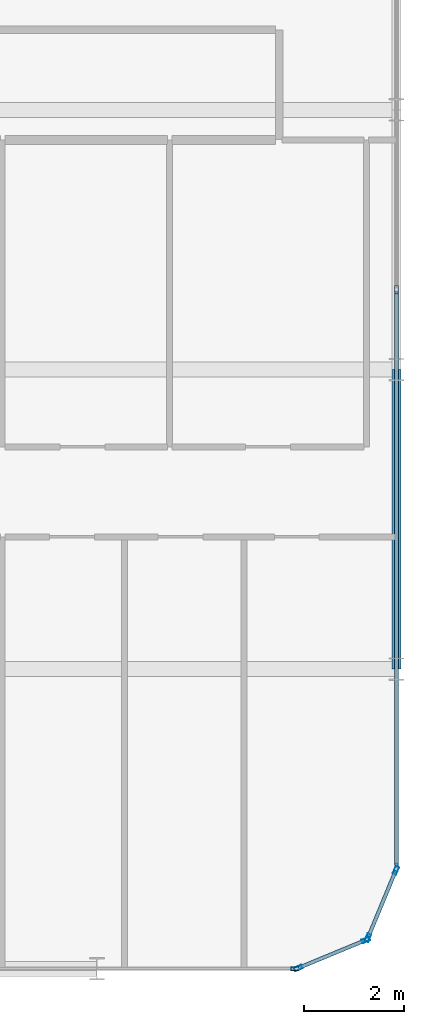
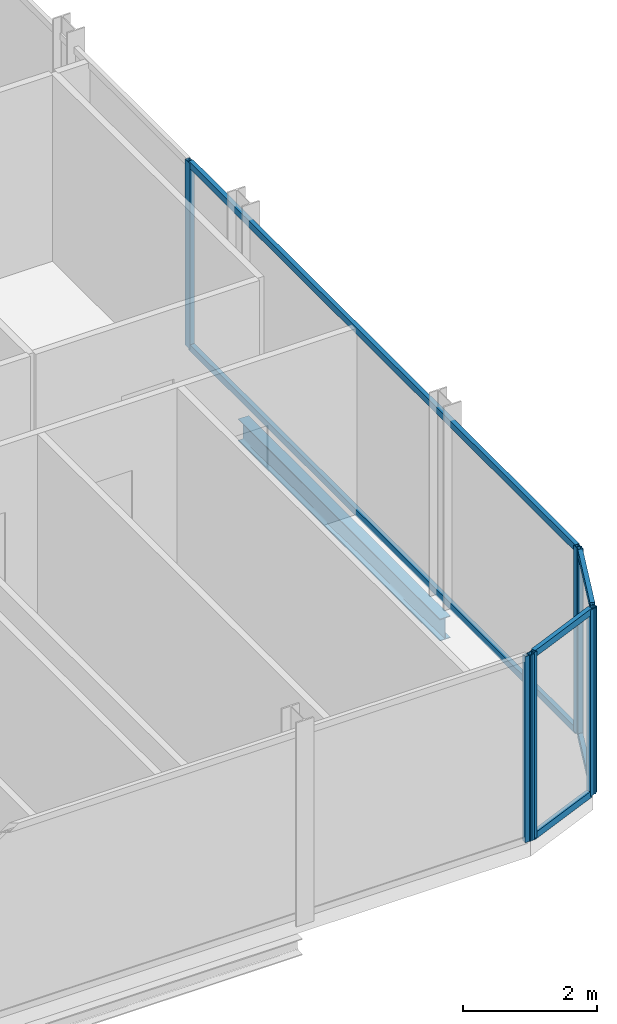
# One storey, part 12 of 29: 13 members, 1 beam, 4 elements without a shape of their own.
"""IFC4 building model written with IfcOpenShell, lengths in metres."""

from ifc_helpers import new_model, si_unit, direction, frame, origin, origin_2d, place, context, subcontext, project, spatial, hollow_rectangle, i_section, extrude, material, layer, layer_set, material_profile, profile_set, type_object, element, aggregate, save


model = new_model("IFC4")

# Units and contexts
model_context = context("Model", 3, precision=1e-05, world=origin(), true_north=direction((0.0, 1.0)))
body_context = subcontext(model_context, "Body", "Model", "MODEL_VIEW")
ifc_project = project(units=[si_unit("LENGTHUNIT", "METRE"), si_unit("AREAUNIT", "SQUARE_METRE"), si_unit("VOLUMEUNIT", "CUBIC_METRE"), si_unit("PLANEANGLEUNIT", "RADIAN"), si_unit("MASSUNIT", "GRAM", prefix="KILO")], contexts=[model_context])

# Site, building, storey
site_placement = place(None, origin())
site = spatial("IfcSite", under=ifc_project, at=site_placement, CompositionType="ELEMENT")
building_placement = place(site_placement, origin())
building = spatial("IfcBuilding", under=site, at=building_placement, Name="Keshet Zoharim Tower", CompositionType="ELEMENT")
storey_placement = place(building_placement, frame((0.0, 0.0, 214.300048828125)))
storey = spatial("IfcBuildingStorey", under=building, at=storey_placement, Name="L53", CompositionType="ELEMENT", Elevation=214.300048828125)

# Beam
ifc_material_1 = material(Name="Steel S355", Category="steel")
ifc_material_profile_1 = material_profile(ifc_material_1, i_section(OverallWidth=0.179931640625, OverallDepth=0.39990234375, WebThickness=0.008544921875, FlangeThickness=0.013427734375, FilletRadius=0.02099609375, at=origin_2d()), Name="IPE400")
ifc_profile_set_1 = profile_set([ifc_material_profile_1], Name="Steel S355")
beam_type = type_object("IfcBeamType", Name="BM-PRI-IP400", PredefinedType="BEAM", material=ifc_profile_set_1)
beam_placement = place(storey_placement, frame((57.0, 6.699951171875, -0.510009765625), z_axis=(0.0, 1.0, 0.0), x_axis=(-1.0, 0.0, 0.0)))
element("IfcBeam", 1, at=beam_placement, inside=storey, type_object=beam_type, Name="L53 Primary Girder Y-013", PredefinedType="BEAM", context=body_context, shape_type="SweptSolid", body=[
    extrude(i_section(OverallWidth=0.179931640625, OverallDepth=0.39990234375, WebThickness=0.008544921875, FlangeThickness=0.013427734375, FilletRadius=0.02099609375, at=origin_2d()), origin(), (0.0, 0.0, 1.0), 6.0),
])

# Curtain wall, members
ifc_material_2 = material(Name="Aluminium 6063-T6", Category="aluminium")
ifc_layer = layer(ifc_material_2, 0.139892578125)
ifc_layer_set = layer_set([ifc_layer], Name="Aluminium 6063-T6")
curtain_wall_type = type_object("IfcCurtainWallType", Name="CW-SYS-05", PredefinedType="NOTDEFINED", material=ifc_layer_set)
curtain_wall_1_placement = place(storey_placement, origin())
curtain_wall_1 = element("IfcCurtainWall", 2, at=curtain_wall_1_placement, inside=storey, type_object=curtain_wall_type, Name="L53 Unitised Curtain Wall 03", PredefinedType="NOTDEFINED")
ifc_material_profile_2 = material_profile(ifc_material_2, hollow_rectangle(XDim=0.074951171875, YDim=0.159912109375, WallThickness=0.00390625, at=origin_2d()), Name="MUL-75x160")
ifc_profile_set_2 = profile_set([ifc_material_profile_2], Name="Aluminium 6063-T6")
member_type_1 = type_object("IfcMemberType", Name="CWM-M15", PredefinedType="MULLION", material=ifc_profile_set_2)
member_1_placement = place(storey_placement, frame((57.0, 14.300048828125, 0.0), z_axis=(0.0, 0.0, 1.0), x_axis=(1.0, 0.0, 0.0)))
member_1 = element("IfcMember", 3, at=member_1_placement, type_object=member_type_1, Name="CW-05 mullion 2", PredefinedType="MULLION", context=body_context, shape_type="SweptSolid", body=[
    extrude(hollow_rectangle(XDim=0.074951171875, YDim=0.159912109375, WallThickness=0.00390625, at=origin_2d()), origin(), (0.0, 0.0, 1.0), 3.3798828125),
])
member_2_placement = place(storey_placement, frame((57.0, 2.735107421875, 0.0), z_axis=(0.0, 0.0, 1.0), x_axis=(1.0, 0.0, 0.0)))
member_2 = element("IfcMember", 4, at=member_2_placement, type_object=member_type_1, Name="CW-05 mullion 3", PredefinedType="MULLION", context=body_context, shape_type="SweptSolid", body=[
    extrude(hollow_rectangle(XDim=0.074951171875, YDim=0.159912109375, WallThickness=0.00390625, at=origin_2d()), origin(), (0.0, 0.0, 1.0), 3.3798828125),
])

curtain_wall_2_placement = place(storey_placement, origin())
curtain_wall_2 = element("IfcCurtainWall", 5, at=curtain_wall_2_placement, inside=storey, type_object=curtain_wall_type, Name="L53 Unitised Curtain Wall 04", PredefinedType="NOTDEFINED")
member_3_placement = place(storey_placement, frame((56.986572265625, 2.667724609375, 0.0), z_axis=(0.0, 0.0, 1.0), x_axis=(0.92380975372, -0.382851849847, 0.0)))
member_3 = element("IfcMember", 6, at=member_3_placement, type_object=member_type_1, Name="CW-05 mullion 1", PredefinedType="MULLION", context=body_context, shape_type="SweptSolid", body=[
    extrude(hollow_rectangle(XDim=0.074951171875, YDim=0.159912109375, WallThickness=0.00390625, at=origin_2d()), origin(), (0.0, 0.0, 1.0), 3.3798828125),
])
member_4_placement = place(storey_placement, frame((56.427490234375, 1.318359375, 0.0), z_axis=(0.0, 0.0, 1.0), x_axis=(0.92380975372, -0.382851849847, 0.0)))
member_4 = element("IfcMember", 7, at=member_4_placement, type_object=member_type_1, Name="CW-05 mullion 2", PredefinedType="MULLION", context=body_context, shape_type="SweptSolid", body=[
    extrude(hollow_rectangle(XDim=0.074951171875, YDim=0.159912109375, WallThickness=0.00390625, at=origin_2d()), origin(), (0.0, 0.0, 1.0), 3.3798828125),
])

curtain_wall_3_placement = place(storey_placement, origin())
curtain_wall_3 = element("IfcCurtainWall", 8, at=curtain_wall_3_placement, inside=storey, type_object=curtain_wall_type, Name="L53 Unitised Curtain Wall 05", PredefinedType="NOTDEFINED")
member_5_placement = place(storey_placement, frame((56.381591796875, 1.272705078125, 0.0), z_axis=(0.0, 0.0, 1.0), x_axis=(0.382851849847, -0.92380975372, 0.0)))
member_5 = element("IfcMember", 9, at=member_5_placement, type_object=member_type_1, Name="CW-05 mullion 1", PredefinedType="MULLION", context=body_context, shape_type="SweptSolid", body=[
    extrude(hollow_rectangle(XDim=0.074951171875, YDim=0.159912109375, WallThickness=0.00390625, at=origin_2d()), origin(), (0.0, 0.0, 1.0), 3.3798828125),
])
member_6_placement = place(storey_placement, frame((55.0322265625, 0.71337890625, 0.0), z_axis=(0.0, 0.0, 1.0), x_axis=(0.382851849847, -0.92380975372, 0.0)))
member_6 = element("IfcMember", 10, at=member_6_placement, type_object=member_type_1, Name="CW-05 mullion 2", PredefinedType="MULLION", context=body_context, shape_type="SweptSolid", body=[
    extrude(hollow_rectangle(XDim=0.074951171875, YDim=0.159912109375, WallThickness=0.00390625, at=origin_2d()), origin(), (0.0, 0.0, 1.0), 3.3798828125),
])

# Curtain wall, member
curtain_wall_4_placement = place(storey_placement, origin())
curtain_wall_4 = element("IfcCurtainWall", 11, at=curtain_wall_4_placement, inside=storey, type_object=curtain_wall_type, Name="L53 Unitised Curtain Wall 06", PredefinedType="NOTDEFINED")
member_7_placement = place(storey_placement, frame((54.965087890625, 0.699951171875, 0.0), z_axis=(0.0, 0.0, 1.0), x_axis=(0.0, -1.0, 0.0)))
member_7 = element("IfcMember", 12, at=member_7_placement, type_object=member_type_1, Name="CW-05 mullion 1", PredefinedType="MULLION", context=body_context, shape_type="SweptSolid", body=[
    extrude(hollow_rectangle(XDim=0.074951171875, YDim=0.159912109375, WallThickness=0.00390625, at=origin_2d()), origin(), (0.0, 0.0, 1.0), 3.3798828125),
])
aggregate(curtain_wall_4, [member_7])

# Member
ifc_material_profile_3 = material_profile(ifc_material_2, hollow_rectangle(XDim=0.074951171875, YDim=0.1201171875, WallThickness=0.00390625, at=origin_2d()), Name="TRN-75x120")
ifc_profile_set_3 = profile_set([ifc_material_profile_3], Name="Aluminium 6063-T6")
member_type_2 = type_object("IfcMemberType", Name="CWT-T12", PredefinedType="USERDEFINED", material=ifc_profile_set_3)
member_8_placement = place(storey_placement, frame((57.0, 14.264892578125, 0.034912109375), z_axis=(0.0, -1.0, 0.0), x_axis=(1.0, 0.0, 0.0)))
member_8 = element("IfcMember", 13, at=member_8_placement, type_object=member_type_2, Name="CW-05 transom 2.1", ObjectType="TRANSOM", PredefinedType="USERDEFINED", context=body_context, shape_type="SweptSolid", body=[
    extrude(hollow_rectangle(XDim=0.074951171875, YDim=0.1201171875, WallThickness=0.00390625, at=origin_2d()), origin(), (0.0, 0.0, 1.0), 11.494873046875),
])

member_9_placement = place(storey_placement, frame((57.0, 14.264892578125, 3.344970703125), z_axis=(0.0, -1.0, 0.0), x_axis=(1.0, 0.0, 0.0)))
member_9 = element("IfcMember", 14, at=member_9_placement, type_object=member_type_2, Name="CW-05 transom 2.2", ObjectType="TRANSOM", PredefinedType="USERDEFINED", context=body_context, shape_type="SweptSolid", body=[
    extrude(hollow_rectangle(XDim=0.074951171875, YDim=0.1201171875, WallThickness=0.00390625, at=origin_2d()), origin(), (0.0, 0.0, 1.0), 11.494873046875),
])

aggregate(curtain_wall_1, [member_1, member_2, member_8, member_9])

member_10_placement = place(storey_placement, frame((56.97314453125, 2.63525390625, 0.034912109375), z_axis=(-0.382744609247, -0.923854189844, 0.0), x_axis=(0.923854189844, -0.382744609247, 0.0)))
member_10 = element("IfcMember", 15, at=member_10_placement, type_object=member_type_2, Name="CW-05 transom 1.1", ObjectType="TRANSOM", PredefinedType="USERDEFINED", context=body_context, shape_type="SweptSolid", body=[
    extrude(hollow_rectangle(XDim=0.074951171875, YDim=0.1201171875, WallThickness=0.00390625, at=origin_2d()), origin(), (0.0, 0.0, 1.0), 1.390625),
])

member_11_placement = place(storey_placement, frame((56.97314453125, 2.63525390625, 3.344970703125), z_axis=(-0.382744609247, -0.923854189844, 0.0), x_axis=(0.923854189844, -0.382744609247, 0.0)))
member_11 = element("IfcMember", 16, at=member_11_placement, type_object=member_type_2, Name="CW-05 transom 1.2", ObjectType="TRANSOM", PredefinedType="USERDEFINED", context=body_context, shape_type="SweptSolid", body=[
    extrude(hollow_rectangle(XDim=0.074951171875, YDim=0.1201171875, WallThickness=0.00390625, at=origin_2d()), origin(), (0.0, 0.0, 1.0), 1.390625),
])

aggregate(curtain_wall_2, [member_3, member_4, member_10, member_11])

member_12_placement = place(storey_placement, frame((56.349365234375, 1.25927734375, 0.034912109375), z_axis=(-0.92379209995, -0.382894445076, 0.0), x_axis=(0.382894445076, -0.92379209995, 0.0)))
member_12 = element("IfcMember", 17, at=member_12_placement, type_object=member_type_2, Name="CW-05 transom 1.1", ObjectType="TRANSOM", PredefinedType="USERDEFINED", context=body_context, shape_type="SweptSolid", body=[
    extrude(hollow_rectangle(XDim=0.074951171875, YDim=0.1201171875, WallThickness=0.00390625, at=origin_2d()), origin(), (0.0, 0.0, 1.0), 1.390625),
])

member_13_placement = place(storey_placement, frame((56.349365234375, 1.25927734375, 3.344970703125), z_axis=(-0.92379209995, -0.382894445076, 0.0), x_axis=(0.382894445076, -0.92379209995, 0.0)))
member_13 = element("IfcMember", 18, at=member_13_placement, type_object=member_type_2, Name="CW-05 transom 1.2", ObjectType="TRANSOM", PredefinedType="USERDEFINED", context=body_context, shape_type="SweptSolid", body=[
    extrude(hollow_rectangle(XDim=0.074951171875, YDim=0.1201171875, WallThickness=0.00390625, at=origin_2d()), origin(), (0.0, 0.0, 1.0), 1.390625),
])

aggregate(curtain_wall_3, [member_5, member_6, member_12, member_13])

save(model, "model.ifc")
